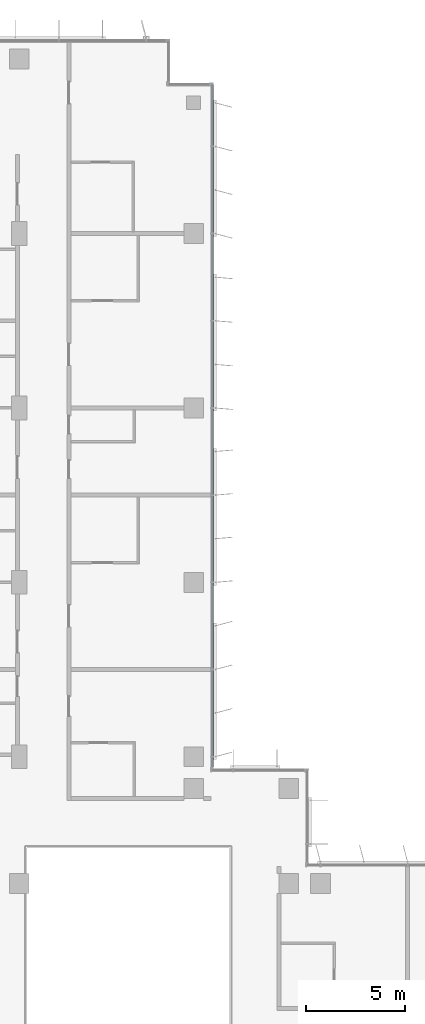
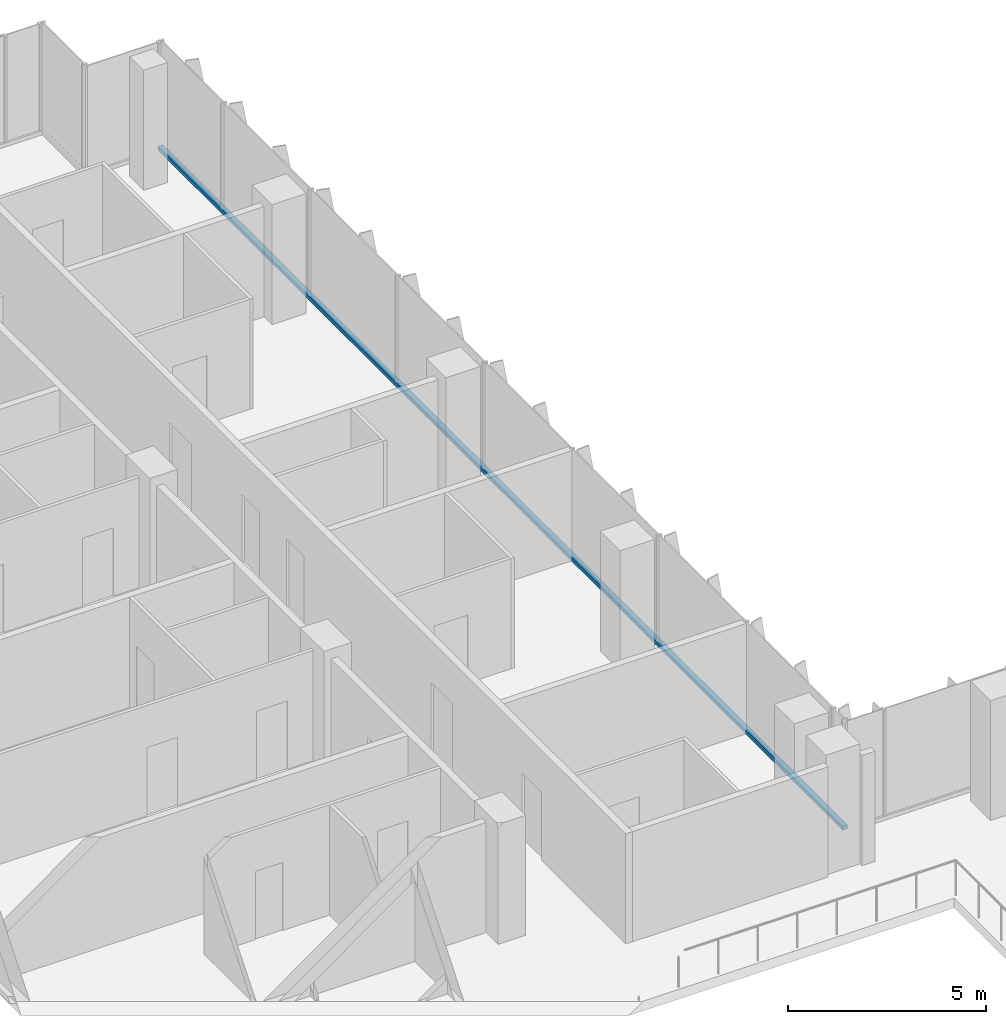
# One storey, part 6 of 21: 1 member, 1 element without a shape of its own.
"""IFC4 building model written with IfcOpenShell, lengths in metres."""

from ifc_helpers import new_model, si_unit, direction, frame, origin, origin_2d, place, context, subcontext, project, spatial, rectangle, extrude, material, material_profile, profile_set, type_object, element, aggregate, save


model = new_model("IFC4")

# Units and contexts
model_context = context("Model", 3, precision=1e-05, world=origin(), true_north=direction((0.0, 1.0)))
body_context = subcontext(model_context, "Body", "Model", "MODEL_VIEW")
ifc_project = project(units=[si_unit("LENGTHUNIT", "METRE"), si_unit("AREAUNIT", "SQUARE_METRE"), si_unit("VOLUMEUNIT", "CUBIC_METRE"), si_unit("PLANEANGLEUNIT", "RADIAN"), si_unit("MASSUNIT", "GRAM", prefix="KILO")], contexts=[model_context])

# Site, building, storey
site_placement = place(None, origin())
site = spatial("IfcSite", under=ifc_project, at=site_placement, CompositionType="ELEMENT")
building_placement = place(site_placement, origin())
building = spatial("IfcBuilding", under=site, at=building_placement, Name="Kemantara Hotel Tower", CompositionType="ELEMENT")
storey_placement = place(building_placement, frame((0.0, 0.0, 211.699951171875)))
storey = spatial("IfcBuildingStorey", under=building, at=storey_placement, Name="L52", CompositionType="ELEMENT", Elevation=211.699951171875)

# Curtain wall, member
ifc_material_1 = material(Name="Low-E tinted double insulated glass 36 mm", Category="glass")
curtain_wall_type = type_object("IfcCurtainWallType", Name="TOWER CURTAIN WALL, FRONT FACES", PredefinedType="USERDEFINED", material=ifc_material_1)
curtain_wall_placement = place(storey_placement, origin())
curtain_wall = element("IfcCurtainWall", 1, at=curtain_wall_placement, inside=storey, type_object=curtain_wall_type, Name="CW4 L52 T3-R17-1", ObjectType="TOWER CURTAIN WALL, FRONT FACES", PredefinedType="USERDEFINED")
ifc_material_2 = material(Name="Aluminium 6063-T6 bronze anodised", Category="aluminium")
ifc_material_profile = material_profile(ifc_material_2, rectangle(XDim=0.14990234375, YDim=0.1201171875, at=origin_2d()), Name="TOWER CURTAIN WALL, FRONT FACES TRANSOM")
ifc_profile_set = profile_set([ifc_material_profile], Name="Aluminium 6063-T6 bronze anodised")
member_type = type_object("IfcMemberType", Name="TOWER CURTAIN WALL, FRONT FACES TRANSOM", PredefinedType="USERDEFINED", material=ifc_profile_set)
member_placement = place(storey_placement, frame((21.925048828125, 26.800048828125, 0.06005859375), z_axis=(0.0, 1.0, 0.0), x_axis=(-1.0, 0.0, 0.0)))
member = element("IfcMember", 2, at=member_placement, type_object=member_type, Name="CW4 sill transom T3-R17-1", ObjectType="TRANSOM", PredefinedType="USERDEFINED", context=body_context, shape_type="SweptSolid", body=[
    extrude(rectangle(XDim=0.14990234375, YDim=0.1201171875, at=origin_2d()), origin(), (0.0, 0.0, 1.0), 34.599853515625),
])
aggregate(curtain_wall, [member])

save(model, "model.ifc")
